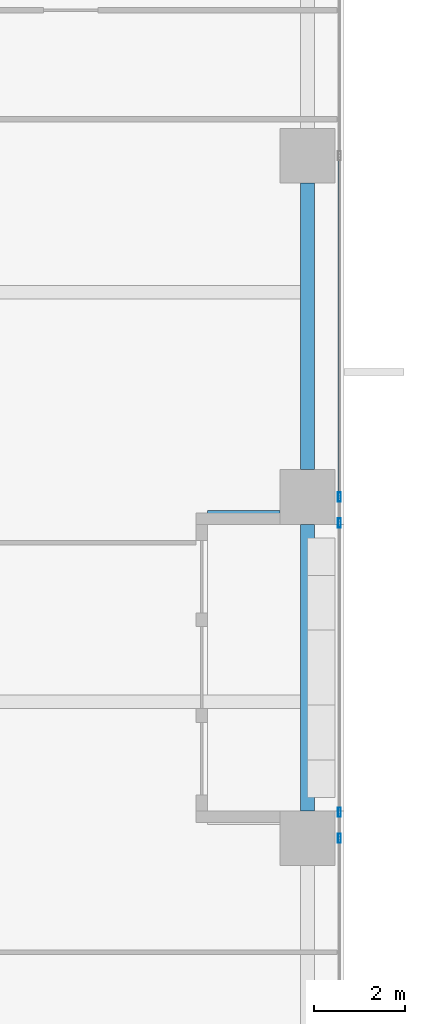
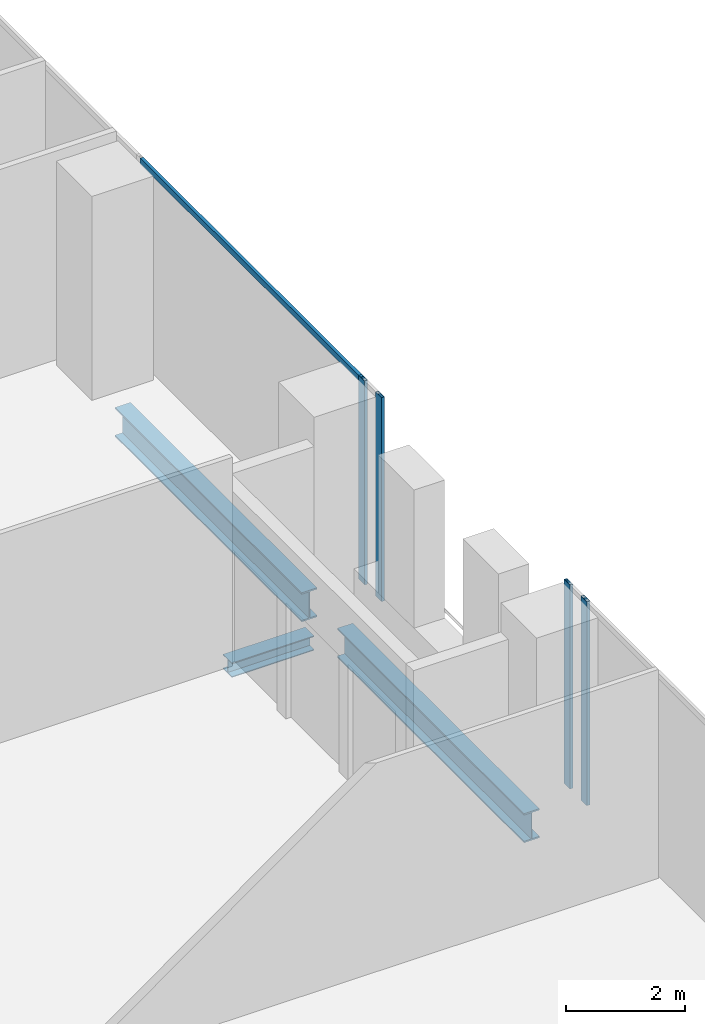
# One storey, part 11 of 32: 5 members, 3 beams, 2 elements without a shape of their own.
"""IFC4 building model written with IfcOpenShell, lengths in metres."""

from ifc_helpers import new_model, si_unit, direction, frame, origin, origin_2d, place, context, subcontext, project, spatial, hollow_rectangle, i_section, extrude, source, transform, mapped, material, material_profile, profile_set, type_object, element, aggregate, save


model = new_model("IFC4")

# Units and contexts
model_context = context("Model", 3, precision=1e-05, world=origin(), true_north=direction((0.0, 1.0)))
body_context = subcontext(model_context, "Body", "Model", "MODEL_VIEW")
ifc_project = project(units=[si_unit("LENGTHUNIT", "METRE"), si_unit("AREAUNIT", "SQUARE_METRE"), si_unit("VOLUMEUNIT", "CUBIC_METRE"), si_unit("PLANEANGLEUNIT", "RADIAN"), si_unit("MASSUNIT", "GRAM", prefix="KILO")], contexts=[model_context])

# Site, building, storey
site_placement = place(None, origin())
site = spatial("IfcSite", under=ifc_project, at=site_placement, CompositionType="ELEMENT")
building_placement = place(site_placement, origin())
building = spatial("IfcBuilding", under=site, at=building_placement, Name="Khomas Fold Tower", CompositionType="ELEMENT")
storey_placement = place(building_placement, frame((0.0, 0.0, 42.0)))
storey = spatial("IfcBuildingStorey", under=building, at=storey_placement, Name="L08", CompositionType="ELEMENT", Elevation=42.0)

# Beams
ifc_material_1 = material(Name="Steel S355", Category="steel")
ifc_material_profile_1 = material_profile(ifc_material_1, i_section(OverallWidth=0.300048828125, OverallDepth=0.60009765625, WebThickness=0.015380859375, FlangeThickness=0.030029296875, at=origin_2d()), Name="HE 600 B")
ifc_profile_set_1 = profile_set([ifc_material_profile_1], Name="Steel S355")
beam_type_1 = type_object("IfcBeamType", Name="HE 600 B spandrel SB1", PredefinedType="SPANDREL", material=ifc_profile_set_1)
shared_shape_1 = source(origin(), body_context, "Body", "SweptSolid", [
    extrude(i_section(OverallWidth=0.300048828125, OverallDepth=0.60009765625, WebThickness=0.015380859375, FlangeThickness=0.030029296875, at=origin_2d()), origin(), (0.0, 0.0, 1.0), 6.2998046875),
])
for number, where, z_axis, x_axis, name in (
    (1, (53.199951171875, 20.10009765625, -0.60009765625), (0.0, 1.0, 0.0), (-1.0, 0.0, 0.0), "SB1"),
    (2, (53.199951171875, 27.60009765625, -0.60009765625), (0.0, 1.0, 0.0), (-1.0, 0.0, 0.0), "SB1"),
):
    element("IfcBeam", number, at=place(storey_placement, frame(where, z_axis=z_axis, x_axis=x_axis)), inside=storey, type_object=beam_type_1, Name=name, PredefinedType="SPANDREL", context=body_context, shape_type="MappedRepresentation", body=[
        mapped(shared_shape_1, transform((0.0, 0.0, 0.0))),
    ])
ifc_material_2 = material(Name="Steel S355", Category="steel")
ifc_material_profile_2 = material_profile(ifc_material_2, i_section(OverallWidth=0.300048828125, OverallDepth=0.300048828125, WebThickness=0.010986328125, FlangeThickness=0.01904296875, at=origin_2d()), Name="HE 300 B")
ifc_profile_set_2 = profile_set([ifc_material_profile_2], Name="Steel S355")
beam_type_2 = type_object("IfcBeamType", Name="HE 300 B beam BB1", PredefinedType="BEAM", material=ifc_profile_set_2)
shared_shape_2 = source(origin(), body_context, "Body", "SweptSolid", [
    extrude(i_section(OverallWidth=0.300048828125, OverallDepth=0.300048828125, WebThickness=0.010986328125, FlangeThickness=0.01904296875, at=origin_2d()), origin(), (0.0, 0.0, 1.0), 1.60009765625),
])
beam_placement = place(storey_placement, frame((51.0, 26.550048828125, -0.449951171875), z_axis=(1.0, 0.0, 0.0), x_axis=(0.0, 1.0, 0.0)))
element("IfcBeam", 3, at=beam_placement, inside=storey, type_object=beam_type_2, Name="BB1", PredefinedType="BEAM", context=body_context, shape_type="MappedRepresentation", body=[
    mapped(shared_shape_2, transform((0.0, 0.0, 0.0))),
])

# Curtain wall, member
ifc_material_3 = material(Name="Aluminium framed double glazing", Category="aluminium")
curtain_wall_type = type_object("IfcCurtainWallType", Name="SK-Unitised clear-glass wall, growing floors CW1", PredefinedType="NOTDEFINED", material=ifc_material_3)
curtain_wall_1_placement = place(storey_placement, origin())
curtain_wall_1 = element("IfcCurtainWall", 4, at=curtain_wall_1_placement, inside=storey, type_object=curtain_wall_type, Name="CW1 run L08 03-1", PredefinedType="NOTDEFINED")
ifc_material_4 = material(Name="Aluminium", Category="aluminium")
ifc_material_profile_3 = material_profile(ifc_material_4, hollow_rectangle(XDim=0.06005859375, YDim=0.1201171875, WallThickness=0.00390625, at=origin_2d()), Name="SK-Unitised clear-glass wall, growing floors transom CW1-T")
ifc_profile_set_3 = profile_set([ifc_material_profile_3], Name="Aluminium")
member_type_1 = type_object("IfcMemberType", Name="SK-Unitised clear-glass wall, growing floors transom CW1-T", PredefinedType="USERDEFINED", material=ifc_profile_set_3)
shared_shape_3 = source(origin(), body_context, "Body", "SweptSolid", [
    extrude(hollow_rectangle(XDim=0.06005859375, YDim=0.1201171875, WallThickness=0.00390625, at=origin_2d()), origin(), (0.0, 0.0, 1.0), 7.43994140625),
])
member_1_placement = place(storey_placement, frame((53.89990234375, 27.030029296875, 4.139892578125), z_axis=(0.0, 1.0, 0.0), x_axis=(-1.0, 0.0, 0.0)))
member_1 = element("IfcMember", 5, at=member_1_placement, type_object=member_type_1, Name="CW1 transom 2", ObjectType="TRANSOM", PredefinedType="USERDEFINED", context=body_context, shape_type="MappedRepresentation", body=[
    mapped(shared_shape_3, transform((0.0, 0.0, 0.0))),
])

# Curtain wall, members
curtain_wall_2_placement = place(storey_placement, origin())
curtain_wall_2 = element("IfcCurtainWall", 6, at=curtain_wall_2_placement, inside=storey, type_object=curtain_wall_type, Name="CW1 run L08 03-0", PredefinedType="NOTDEFINED")
ifc_material_5 = material(Name="Aluminium", Category="aluminium")
ifc_material_profile_4 = material_profile(ifc_material_5, hollow_rectangle(XDim=0.06005859375, YDim=0.199951171875, WallThickness=0.00390625, at=origin_2d()), Name="SK-Unitised clear-glass wall, growing floors mullion CW1-M")
ifc_profile_set_4 = profile_set([ifc_material_profile_4], Name="Aluminium")
member_type_2 = type_object("IfcMemberType", Name="SK-Unitised clear-glass wall, growing floors mullion CW1-M", PredefinedType="MULLION", material=ifc_profile_set_4)
shared_shape_4 = source(origin(), body_context, "Body", "SweptSolid", [
    extrude(hollow_rectangle(XDim=0.06005859375, YDim=0.199951171875, WallThickness=0.00390625, at=origin_2d()), origin(), (0.0, 0.0, 1.0), 4.199951171875),
])
member_2_placement = place(storey_placement, frame((53.89990234375, 19.5, 0.0), z_axis=(0.0, 0.0, 1.0), x_axis=(-1.0, 0.0, 0.0)))
member_2 = element("IfcMember", 7, at=member_2_placement, type_object=member_type_2, Name="CW1 mullion 4", PredefinedType="MULLION", context=body_context, shape_type="MappedRepresentation", body=[
    mapped(shared_shape_4, transform((0.0, 0.0, 0.0))),
])
member_3_placement = place(storey_placement, frame((53.89990234375, 20.070068359375, 0.0), z_axis=(0.0, 0.0, 1.0), x_axis=(-1.0, 0.0, 0.0)))
member_3 = element("IfcMember", 8, at=member_3_placement, type_object=member_type_2, Name="CW1 mullion 5", PredefinedType="MULLION", context=body_context, shape_type="MappedRepresentation", body=[
    mapped(shared_shape_4, transform((0.0, 0.0, 0.0))),
])
aggregate(curtain_wall_2, [member_2, member_3])

# Member
member_4_placement = place(storey_placement, frame((53.89990234375, 26.429931640625, 0.0), z_axis=(0.0, 0.0, 1.0), x_axis=(-1.0, 0.0, 0.0)))
member_4 = element("IfcMember", 9, at=member_4_placement, type_object=member_type_2, Name="CW1 mullion 1", PredefinedType="MULLION", context=body_context, shape_type="MappedRepresentation", body=[
    mapped(shared_shape_4, transform((0.0, 0.0, 0.0))),
])

member_5_placement = place(storey_placement, frame((53.89990234375, 27.0, 0.0), z_axis=(0.0, 0.0, 1.0), x_axis=(-1.0, 0.0, 0.0)))
member_5 = element("IfcMember", 10, at=member_5_placement, type_object=member_type_2, Name="CW1 mullion 2", PredefinedType="MULLION", context=body_context, shape_type="MappedRepresentation", body=[
    mapped(shared_shape_4, transform((0.0, 0.0, 0.0))),
])

aggregate(curtain_wall_1, [member_4, member_5, member_1])

save(model, "model.ifc")
